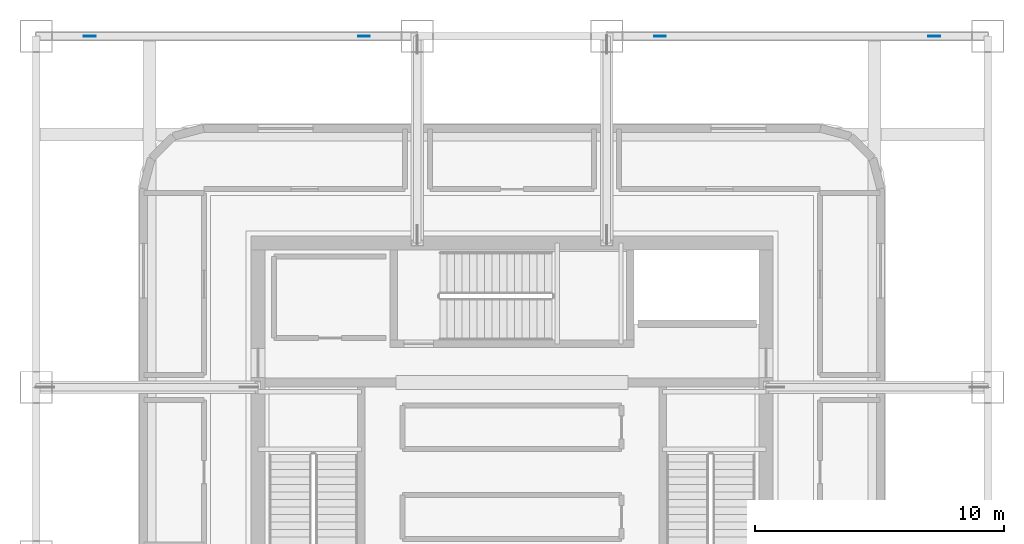
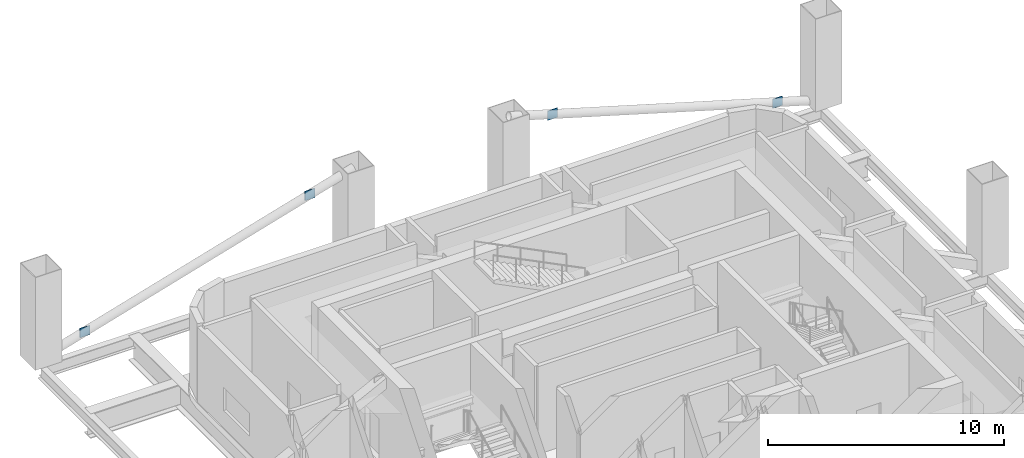
# One storey, part 3 of 8: 4 plates.
"""IFC4 building model written with IfcOpenShell, lengths in metres."""

from ifc_helpers import new_model, si_unit, direction, frame, origin, origin_2d, place, context, subcontext, project, spatial, rectangle, extrude, material, layer, layer_set, type_object, element, save


model = new_model("IFC4")

# Units and contexts
model_context = context("Model", 3, precision=1e-05, world=origin(), true_north=direction((0.0, 1.0)))
body_context = subcontext(model_context, "Body", "Model", "MODEL_VIEW")
ifc_project = project(units=[si_unit("LENGTHUNIT", "METRE"), si_unit("AREAUNIT", "SQUARE_METRE"), si_unit("VOLUMEUNIT", "CUBIC_METRE"), si_unit("PLANEANGLEUNIT", "RADIAN"), si_unit("MASSUNIT", "GRAM", prefix="KILO")], contexts=[model_context])

# Site, building, storey
site_placement = place(None, origin())
site = spatial("IfcSite", under=ifc_project, at=site_placement, CompositionType="ELEMENT")
building_placement = place(site_placement, origin())
building = spatial("IfcBuilding", under=site, at=building_placement, Name="Punatoya Terracotta Tower", CompositionType="ELEMENT")
storey_placement = place(building_placement, frame((0.0, 0.0, 241.800048828125)))
storey = spatial("IfcBuildingStorey", under=building, at=storey_placement, Name="L57", CompositionType="ELEMENT", Elevation=241.800048828125)

# Plates
ifc_material = material(Name="Steel S460", Category="steel")
ifc_layer = layer(ifc_material, 0.031982421875)
ifc_layer_set = layer_set([ifc_layer], Name="Steel S460")
plate_type = type_object("IfcPlateType", Name="PLT-END-32", PredefinedType="USERDEFINED", material=ifc_layer_set)
for number, where, z_axis, x_axis, name in (
    (1, (-16.9580078125, 17.5, 0.409912109375), (0.0, 0.0, 1.0), (1.0, 0.0, 0.0), "L57 Ring Strut NST-3 End Plate 1"),
    (2, (-5.94189453125, 17.5, 3.64990234375), (0.0, 0.0, 1.0), (1.0, 0.0, 0.0), "L57 Ring Strut NST-3 End Plate 2"),
    (3, (5.94189453125, 17.5, 3.64990234375), (0.0, 0.0, 1.0), (1.0, 0.0, 0.0), "L57 Ring Strut NST-4 End Plate 1"),
    (4, (16.9580078125, 17.5, 0.409912109375), (0.0, 0.0, 1.0), (1.0, 0.0, 0.0), "L57 Ring Strut NST-4 End Plate 2"),
):
    element("IfcPlate", number, at=place(storey_placement, frame(where, z_axis=z_axis, x_axis=x_axis)), inside=storey, type_object=plate_type, Name=name, ObjectType="FLANGE_PLATE", PredefinedType="USERDEFINED", context=body_context, shape_type="SweptSolid", body=[
        extrude(rectangle(XDim=0.47998046875, YDim=0.031982421875, at=origin_2d()), origin(), (0.0, 0.0, 1.0), 0.47998046875),
    ])

save(model, "model.ifc")
